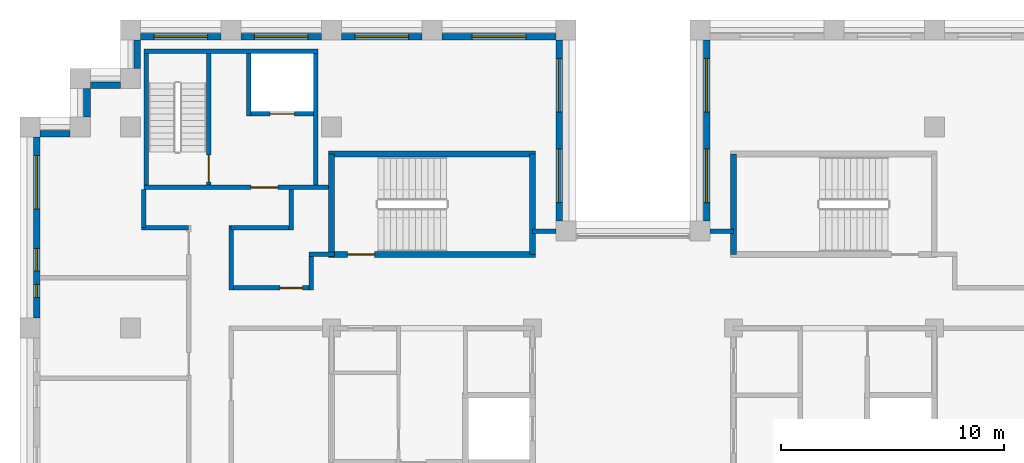
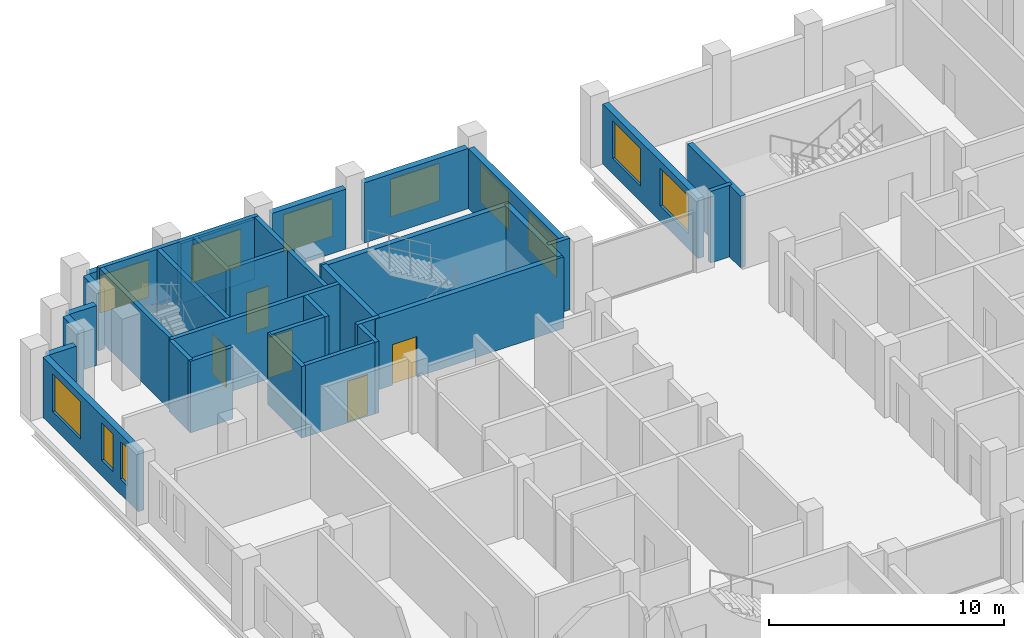
# One storey, part 10 of 13: 33 walls, 11 windows, 5 doors, 16 openings.
"""IFC4 building model written with IfcOpenShell, lengths in metres."""

from ifc_helpers import new_model, si_unit, direction, frame, frame_2d, origin, place, context, subcontext, project, spatial, rectangle, extrude, material, layer, layer_set, type_object, element, fill, save


model = new_model("IFC4")

# Units and contexts
model_context = context("Model", 3, precision=1e-05, world=origin(), true_north=direction((0.0, 1.0)))
body_context = subcontext(model_context, "Body", "Model", "MODEL_VIEW")
ifc_project = project(units=[si_unit("LENGTHUNIT", "METRE"), si_unit("AREAUNIT", "SQUARE_METRE"), si_unit("VOLUMEUNIT", "CUBIC_METRE"), si_unit("PLANEANGLEUNIT", "RADIAN"), si_unit("MASSUNIT", "GRAM", prefix="KILO")], contexts=[model_context])

# Site, building, storey
site_placement = place(None, origin())
site = spatial("IfcSite", under=ifc_project, at=site_placement, CompositionType="ELEMENT")
building_placement = place(site_placement, origin())
building = spatial("IfcBuilding", under=site, at=building_placement, Name="Corbelhall Arena Tower", CompositionType="ELEMENT")
storey_placement = place(building_placement, frame((0.0, 0.0, 266.0)))
storey = spatial("IfcBuildingStorey", under=building, at=storey_placement, Name="L57", CompositionType="ELEMENT", Elevation=266.0)

# Walls
ifc_material_1 = material(Name="Precast concrete C40/50 with granite facing", Category="masonry")
ifc_layer_1 = layer(ifc_material_1, 0.300048828125)
ifc_layer_set_1 = layer_set([ifc_layer_1], Name="EV-IW1 Infill panel 300")
wall_type_1 = type_object("IfcWallType", Name="EV-IW1 Infill panel 300", PredefinedType="SOLIDWALL", material=ifc_layer_set_1)
wall_1_placement = place(storey_placement, frame((-24.449951171875, 19.72509765625, 0.0), z_axis=(0.0, 0.0, 1.0), x_axis=(0.0, -1.0, 0.0)))
element("IfcWall", 1, at=wall_1_placement, inside=storey, type_object=wall_type_1, Name="Infill panel IW1", PredefinedType="SOLIDWALL", context=body_context, shape_type="SweptSolid", body=[
    extrude(rectangle(XDim=1.275146484375, YDim=0.300048828125, at=frame_2d((0.6376953125, 0.0))), origin(), (0.0, 0.0, 1.0), 3.1201171875),
])
wall_2_placement = place(storey_placement, frame((-25.199951171875, 17.699951171875, 0.0), z_axis=(0.0, 0.0, 1.0), x_axis=(-1.0, 0.0, 0.0)))
element("IfcWall", 2, at=wall_2_placement, inside=storey, type_object=wall_type_1, Name="Infill panel IW1", PredefinedType="SOLIDWALL", context=body_context, shape_type="SweptSolid", body=[
    extrude(rectangle(XDim=1.35009765625, YDim=0.300048828125, at=frame_2d((0.675048828125, 0.0))), origin(), (0.0, 0.0, 1.0), 3.1201171875),
])

# Wall, openings, windows
wall_3_placement = place(storey_placement, frame((-26.699951171875, 17.550048828125, 0.0), z_axis=(0.0, 0.0, 1.0), x_axis=(0.0, -1.0, 0.0)))
wall_3 = element("IfcWall", 3, at=wall_3_placement, inside=storey, type_object=wall_type_1, Name="Infill panel IW1", PredefinedType="SOLIDWALL", context=body_context, shape_type="SweptSolid", body=[
    extrude(rectangle(XDim=8.10009765625, YDim=0.300048828125, at=frame_2d((4.050048828125, 0.0))), origin(), (0.0, 0.0, 1.0), 3.1201171875),
])
opening_1_placement = place(wall_3_placement, frame((0.824951171875, 0.0, 0.800048828125)))
opening_1 = element("IfcOpeningElement", 4, at=opening_1_placement, cuts=wall_3, Name="Opening WN1", PredefinedType="OPENING", context=body_context, shape_type="SweptSolid", body=[
    extrude(rectangle(XDim=2.39990234375, YDim=1.949951171875, at=frame_2d((1.199951171875, 0.97509765625))), frame((0.0, 0.14990234375, 0.0), z_axis=(0.0, -1.0, 0.0), x_axis=(1.0, 0.0, 0.0)), (0.0, 0.0, 1.0), 0.300048828125),
])
opening_2_placement = place(wall_3_placement, frame((4.987548828125, 0.0, 0.800048828125)))
opening_2 = element("IfcOpeningElement", 5, at=opening_2_placement, cuts=wall_3, Name="Opening WN6", PredefinedType="OPENING", context=body_context, shape_type="SweptSolid", body=[
    extrude(rectangle(XDim=1.0, YDim=1.949951171875, at=frame_2d((0.5, 0.97509765625))), frame((0.0, 0.14990234375, 0.0), z_axis=(0.0, -1.0, 0.0), x_axis=(1.0, 0.0, 0.0)), (0.0, 0.0, 1.0), 0.300048828125),
])
opening_3_placement = place(wall_3_placement, frame((6.58740234375, 0.0, 0.800048828125)))
opening_3 = element("IfcOpeningElement", 6, at=opening_3_placement, cuts=wall_3, Name="Opening WN5", PredefinedType="OPENING", context=body_context, shape_type="SweptSolid", body=[
    extrude(rectangle(XDim=0.60009765625, YDim=1.949951171875, at=frame_2d((0.300048828125, 0.97509765625))), frame((0.0, 0.14990234375, 0.0), z_axis=(0.0, -1.0, 0.0), x_axis=(1.0, 0.0, 0.0)), (0.0, 0.0, 1.0), 0.300048828125),
])
ifc_material_2 = material(Name="Aluminium black anodised", Category="aluminium")
window_type_1 = type_object("IfcWindowType", Name="EV-WN1 Office window", PartitioningType="SINGLE_PANEL", PredefinedType="WINDOW", material=ifc_material_2)
window_1_placement = place(opening_1_placement, origin())
window_1 = element("IfcWindow", 7, at=window_1_placement, inside=storey, type_object=window_type_1, Name="Window WN1", OverallHeight=1.949951171875, OverallWidth=2.39990234375, PartitioningType="SINGLE_PANEL", PredefinedType="WINDOW", context=body_context, shape_type="SweptSolid", body=[
    extrude(rectangle(XDim=2.39990234375, YDim=1.949951171875, at=frame_2d((1.199951171875, 0.97509765625))), frame((0.0, 0.030029296875, 0.0), z_axis=(0.0, -1.0, 0.0), x_axis=(1.0, 0.0, 0.0)), (0.0, 0.0, 1.0), 0.06005859375),
])
fill(opening_1, window_1)
window_type_2 = type_object("IfcWindowType", Name="EV-WN5 Office window 600", PartitioningType="SINGLE_PANEL", PredefinedType="WINDOW", material=ifc_material_2)
window_2_placement = place(opening_3_placement, origin())
window_2 = element("IfcWindow", 8, at=window_2_placement, inside=storey, type_object=window_type_2, Name="Window WN5", OverallHeight=1.949951171875, OverallWidth=0.60009765625, PartitioningType="SINGLE_PANEL", PredefinedType="WINDOW", context=body_context, shape_type="SweptSolid", body=[
    extrude(rectangle(XDim=0.60009765625, YDim=1.949951171875, at=frame_2d((0.300048828125, 0.97509765625))), frame((0.0, 0.030029296875, 0.0), z_axis=(0.0, -1.0, 0.0), x_axis=(1.0, 0.0, 0.0)), (0.0, 0.0, 1.0), 0.06005859375),
])
fill(opening_3, window_2)
window_type_3 = type_object("IfcWindowType", Name="EV-WN6 Office window 1000", PartitioningType="SINGLE_PANEL", PredefinedType="WINDOW", material=ifc_material_2)
window_3_placement = place(opening_2_placement, origin())
window_3 = element("IfcWindow", 9, at=window_3_placement, inside=storey, type_object=window_type_3, Name="Window WN6", OverallHeight=1.949951171875, OverallWidth=1.0, PartitioningType="SINGLE_PANEL", PredefinedType="WINDOW", context=body_context, shape_type="SweptSolid", body=[
    extrude(rectangle(XDim=1.0, YDim=1.949951171875, at=frame_2d((0.5, 0.97509765625))), frame((0.0, 0.030029296875, 0.0), z_axis=(0.0, -1.0, 0.0), x_axis=(1.0, 0.0, 0.0)), (0.0, 0.0, 1.0), 0.06005859375),
])
fill(opening_2, window_3)

wall_4_placement = place(storey_placement, frame((3.300048828125, 21.89990234375, 0.0), z_axis=(0.0, 0.0, 1.0), x_axis=(0.0, -1.0, 0.0)))
wall_4 = element("IfcWall", 10, at=wall_4_placement, inside=storey, type_object=wall_type_1, Name="Infill panel IW1", PredefinedType="SOLIDWALL", context=body_context, shape_type="SweptSolid", body=[
    extrude(rectangle(XDim=8.099853515625, YDim=0.300048828125, at=frame_2d((4.0498046875, 0.0))), origin(), (0.0, 0.0, 1.0), 3.1201171875),
])
opening_4_placement = place(wall_4_placement, frame((0.824951171875, 0.0, 0.800048828125)))
opening_4 = element("IfcOpeningElement", 11, at=opening_4_placement, cuts=wall_4, Name="Opening WN1", PredefinedType="OPENING", context=body_context, shape_type="SweptSolid", body=[
    extrude(rectangle(XDim=2.39990234375, YDim=1.949951171875, at=frame_2d((1.199951171875, 0.97509765625))), frame((0.0, 0.14990234375, 0.0), z_axis=(0.0, -1.0, 0.0), x_axis=(1.0, 0.0, 0.0)), (0.0, 0.0, 1.0), 0.300048828125),
])
opening_5_placement = place(wall_4_placement, frame((4.875, 0.0, 0.800048828125)))
opening_5 = element("IfcOpeningElement", 12, at=opening_5_placement, cuts=wall_4, Name="Opening WN1", PredefinedType="OPENING", context=body_context, shape_type="SweptSolid", body=[
    extrude(rectangle(XDim=2.39990234375, YDim=1.949951171875, at=frame_2d((1.199951171875, 0.97509765625))), frame((0.0, 0.14990234375, 0.0), z_axis=(0.0, -1.0, 0.0), x_axis=(1.0, 0.0, 0.0)), (0.0, 0.0, 1.0), 0.300048828125),
])
window_4_placement = place(opening_4_placement, origin())
window_4 = element("IfcWindow", 13, at=window_4_placement, inside=storey, type_object=window_type_1, Name="Window WN1", OverallHeight=1.949951171875, OverallWidth=2.39990234375, PartitioningType="SINGLE_PANEL", PredefinedType="WINDOW", context=body_context, shape_type="SweptSolid", body=[
    extrude(rectangle(XDim=2.39990234375, YDim=1.949951171875, at=frame_2d((1.199951171875, 0.97509765625))), frame((0.0, 0.030029296875, 0.0), z_axis=(0.0, -1.0, 0.0), x_axis=(1.0, 0.0, 0.0)), (0.0, 0.0, 1.0), 0.06005859375),
])
fill(opening_4, window_4)
window_5_placement = place(opening_5_placement, origin())
window_5 = element("IfcWindow", 14, at=window_5_placement, inside=storey, type_object=window_type_1, Name="Window WN1", OverallHeight=1.949951171875, OverallWidth=2.39990234375, PartitioningType="SINGLE_PANEL", PredefinedType="WINDOW", context=body_context, shape_type="SweptSolid", body=[
    extrude(rectangle(XDim=2.39990234375, YDim=1.949951171875, at=frame_2d((1.199951171875, 0.97509765625))), frame((0.0, 0.030029296875, 0.0), z_axis=(0.0, -1.0, 0.0), x_axis=(1.0, 0.0, 0.0)), (0.0, 0.0, 1.0), 0.06005859375),
])
fill(opening_5, window_5)

wall_5_placement = place(storey_placement, frame((-3.300048828125, 13.800048828125, 0.0), z_axis=(0.0, 0.0, 1.0), x_axis=(0.0, 1.0, 0.0)))
wall_5 = element("IfcWall", 15, at=wall_5_placement, inside=storey, type_object=wall_type_1, Name="Infill panel IW1", PredefinedType="SOLIDWALL", context=body_context, shape_type="SweptSolid", body=[
    extrude(rectangle(XDim=8.099853515625, YDim=0.300048828125, at=frame_2d((4.0498046875, 0.0))), origin(), (0.0, 0.0, 1.0), 3.1201171875),
])
opening_6_placement = place(wall_5_placement, frame((0.824951171875, 0.0, 0.800048828125)))
opening_6 = element("IfcOpeningElement", 16, at=opening_6_placement, cuts=wall_5, Name="Opening WN1", PredefinedType="OPENING", context=body_context, shape_type="SweptSolid", body=[
    extrude(rectangle(XDim=2.39990234375, YDim=1.949951171875, at=frame_2d((1.199951171875, 0.97509765625))), frame((0.0, 0.14990234375, 0.0), z_axis=(0.0, -1.0, 0.0), x_axis=(1.0, 0.0, 0.0)), (0.0, 0.0, 1.0), 0.300048828125),
])
opening_7_placement = place(wall_5_placement, frame((4.875, 0.0, 0.800048828125)))
opening_7 = element("IfcOpeningElement", 17, at=opening_7_placement, cuts=wall_5, Name="Opening WN1", PredefinedType="OPENING", context=body_context, shape_type="SweptSolid", body=[
    extrude(rectangle(XDim=2.39990234375, YDim=1.949951171875, at=frame_2d((1.199951171875, 0.97509765625))), frame((0.0, 0.14990234375, 0.0), z_axis=(0.0, -1.0, 0.0), x_axis=(1.0, 0.0, 0.0)), (0.0, 0.0, 1.0), 0.300048828125),
])
window_6_placement = place(opening_6_placement, origin())
window_6 = element("IfcWindow", 18, at=window_6_placement, inside=storey, type_object=window_type_1, Name="Window WN1", OverallHeight=1.949951171875, OverallWidth=2.39990234375, PartitioningType="SINGLE_PANEL", PredefinedType="WINDOW", context=body_context, shape_type="SweptSolid", body=[
    extrude(rectangle(XDim=2.39990234375, YDim=1.949951171875, at=frame_2d((1.199951171875, 0.97509765625))), frame((0.0, 0.030029296875, 0.0), z_axis=(0.0, -1.0, 0.0), x_axis=(1.0, 0.0, 0.0)), (0.0, 0.0, 1.0), 0.06005859375),
])
fill(opening_6, window_6)
window_7_placement = place(opening_7_placement, origin())
window_7 = element("IfcWindow", 19, at=window_7_placement, inside=storey, type_object=window_type_1, Name="Window WN1", OverallHeight=1.949951171875, OverallWidth=2.39990234375, PartitioningType="SINGLE_PANEL", PredefinedType="WINDOW", context=body_context, shape_type="SweptSolid", body=[
    extrude(rectangle(XDim=2.39990234375, YDim=1.949951171875, at=frame_2d((1.199951171875, 0.97509765625))), frame((0.0, 0.030029296875, 0.0), z_axis=(0.0, -1.0, 0.0), x_axis=(1.0, 0.0, 0.0)), (0.0, 0.0, 1.0), 0.06005859375),
])
fill(opening_7, window_7)

# Wall, opening, window
wall_6_placement = place(storey_placement, frame((-3.449951171875, 22.050048828125, 0.0), z_axis=(0.0, 0.0, 1.0), x_axis=(-1.0, 0.0, 0.0)))
wall_6 = element("IfcWall", 20, at=wall_6_placement, inside=storey, type_object=wall_type_1, Name="Infill panel IW1", PredefinedType="SOLIDWALL", context=body_context, shape_type="SweptSolid", body=[
    extrude(rectangle(XDim=5.10009765625, YDim=0.300048828125, at=frame_2d((2.550048828125, 0.0))), origin(), (0.0, 0.0, 1.0), 3.1201171875),
])
opening_8_placement = place(wall_6_placement, frame((1.35009765625, 0.0, 0.800048828125)))
opening_8 = element("IfcOpeningElement", 21, at=opening_8_placement, cuts=wall_6, Name="Opening WN1", PredefinedType="OPENING", context=body_context, shape_type="SweptSolid", body=[
    extrude(rectangle(XDim=2.39990234375, YDim=1.949951171875, at=frame_2d((1.199951171875, 0.97509765625))), frame((0.0, 0.14990234375, 0.0), z_axis=(0.0, -1.0, 0.0), x_axis=(1.0, 0.0, 0.0)), (0.0, 0.0, 1.0), 0.300048828125),
])
window_8_placement = place(opening_8_placement, origin())
window_8 = element("IfcWindow", 22, at=window_8_placement, inside=storey, type_object=window_type_1, Name="Window WN1", OverallHeight=1.949951171875, OverallWidth=2.39990234375, PartitioningType="SINGLE_PANEL", PredefinedType="WINDOW", context=body_context, shape_type="SweptSolid", body=[
    extrude(rectangle(XDim=2.39990234375, YDim=1.949951171875, at=frame_2d((1.199951171875, 0.97509765625))), frame((0.0, 0.030029296875, 0.0), z_axis=(0.0, -1.0, 0.0), x_axis=(1.0, 0.0, 0.0)), (0.0, 0.0, 1.0), 0.06005859375),
])
fill(opening_8, window_8)

wall_7_placement = place(storey_placement, frame((-9.449951171875, 22.050048828125, 0.0), z_axis=(0.0, 0.0, 1.0), x_axis=(-1.0, 0.0, 0.0)))
wall_7 = element("IfcWall", 23, at=wall_7_placement, inside=storey, type_object=wall_type_1, Name="Infill panel IW1", PredefinedType="SOLIDWALL", context=body_context, shape_type="SweptSolid", body=[
    extrude(rectangle(XDim=3.60009765625, YDim=0.300048828125, at=frame_2d((1.800048828125, 0.0))), origin(), (0.0, 0.0, 1.0), 3.1201171875),
])
opening_9_placement = place(wall_7_placement, frame((0.60009765625, 0.0, 0.800048828125)))
opening_9 = element("IfcOpeningElement", 24, at=opening_9_placement, cuts=wall_7, Name="Opening WN1", PredefinedType="OPENING", context=body_context, shape_type="SweptSolid", body=[
    extrude(rectangle(XDim=2.39990234375, YDim=1.949951171875, at=frame_2d((1.199951171875, 0.97509765625))), frame((0.0, 0.14990234375, 0.0), z_axis=(0.0, -1.0, 0.0), x_axis=(1.0, 0.0, 0.0)), (0.0, 0.0, 1.0), 0.300048828125),
])
window_9_placement = place(opening_9_placement, origin())
window_9 = element("IfcWindow", 25, at=window_9_placement, inside=storey, type_object=window_type_1, Name="Window WN1", OverallHeight=1.949951171875, OverallWidth=2.39990234375, PartitioningType="SINGLE_PANEL", PredefinedType="WINDOW", context=body_context, shape_type="SweptSolid", body=[
    extrude(rectangle(XDim=2.39990234375, YDim=1.949951171875, at=frame_2d((1.199951171875, 0.97509765625))), frame((0.0, 0.030029296875, 0.0), z_axis=(0.0, -1.0, 0.0), x_axis=(1.0, 0.0, 0.0)), (0.0, 0.0, 1.0), 0.06005859375),
])
fill(opening_9, window_9)

wall_8_placement = place(storey_placement, frame((-13.949951171875, 22.050048828125, 0.0), z_axis=(0.0, 0.0, 1.0), x_axis=(-1.0, 0.0, 0.0)))
wall_8 = element("IfcWall", 26, at=wall_8_placement, inside=storey, type_object=wall_type_1, Name="Infill panel IW1", PredefinedType="SOLIDWALL", context=body_context, shape_type="SweptSolid", body=[
    extrude(rectangle(XDim=3.60009765625, YDim=0.300048828125, at=frame_2d((1.800048828125, 0.0))), origin(), (0.0, 0.0, 1.0), 3.1201171875),
])
opening_10_placement = place(wall_8_placement, frame((0.60009765625, 0.0, 0.800048828125)))
opening_10 = element("IfcOpeningElement", 27, at=opening_10_placement, cuts=wall_8, Name="Opening WN1", PredefinedType="OPENING", context=body_context, shape_type="SweptSolid", body=[
    extrude(rectangle(XDim=2.39990234375, YDim=1.949951171875, at=frame_2d((1.199951171875, 0.97509765625))), frame((0.0, 0.14990234375, 0.0), z_axis=(0.0, -1.0, 0.0), x_axis=(1.0, 0.0, 0.0)), (0.0, 0.0, 1.0), 0.300048828125),
])
window_10_placement = place(opening_10_placement, origin())
window_10 = element("IfcWindow", 28, at=window_10_placement, inside=storey, type_object=window_type_1, Name="Window WN1", OverallHeight=1.949951171875, OverallWidth=2.39990234375, PartitioningType="SINGLE_PANEL", PredefinedType="WINDOW", context=body_context, shape_type="SweptSolid", body=[
    extrude(rectangle(XDim=2.39990234375, YDim=1.949951171875, at=frame_2d((1.199951171875, 0.97509765625))), frame((0.0, 0.030029296875, 0.0), z_axis=(0.0, -1.0, 0.0), x_axis=(1.0, 0.0, 0.0)), (0.0, 0.0, 1.0), 0.06005859375),
])
fill(opening_10, window_10)

wall_9_placement = place(storey_placement, frame((-18.449951171875, 22.050048828125, 0.0), z_axis=(0.0, 0.0, 1.0), x_axis=(-1.0, 0.0, 0.0)))
wall_9 = element("IfcWall", 29, at=wall_9_placement, inside=storey, type_object=wall_type_1, Name="Infill panel IW1", PredefinedType="SOLIDWALL", context=body_context, shape_type="SweptSolid", body=[
    extrude(rectangle(XDim=3.60009765625, YDim=0.300048828125, at=frame_2d((1.800048828125, 0.0))), origin(), (0.0, 0.0, 1.0), 3.1201171875),
])
opening_11_placement = place(wall_9_placement, frame((0.60009765625, 0.0, 0.800048828125)))
opening_11 = element("IfcOpeningElement", 30, at=opening_11_placement, cuts=wall_9, Name="Opening WN1", PredefinedType="OPENING", context=body_context, shape_type="SweptSolid", body=[
    extrude(rectangle(XDim=2.39990234375, YDim=1.949951171875, at=frame_2d((1.199951171875, 0.97509765625))), frame((0.0, 0.14990234375, 0.0), z_axis=(0.0, -1.0, 0.0), x_axis=(1.0, 0.0, 0.0)), (0.0, 0.0, 1.0), 0.300048828125),
])
window_11_placement = place(opening_11_placement, origin())
window_11 = element("IfcWindow", 31, at=window_11_placement, inside=storey, type_object=window_type_1, Name="Window WN1", OverallHeight=1.949951171875, OverallWidth=2.39990234375, PartitioningType="SINGLE_PANEL", PredefinedType="WINDOW", context=body_context, shape_type="SweptSolid", body=[
    extrude(rectangle(XDim=2.39990234375, YDim=1.949951171875, at=frame_2d((1.199951171875, 0.97509765625))), frame((0.0, 0.030029296875, 0.0), z_axis=(0.0, -1.0, 0.0), x_axis=(1.0, 0.0, 0.0)), (0.0, 0.0, 1.0), 0.06005859375),
])
fill(opening_11, window_11)

# Walls
wall_10_placement = place(storey_placement, frame((-22.199951171875, 21.89990234375, 0.0), z_axis=(0.0, 0.0, 1.0), x_axis=(0.0, -1.0, 0.0)))
element("IfcWall", 32, at=wall_10_placement, inside=storey, type_object=wall_type_1, Name="Infill panel IW1", PredefinedType="SOLIDWALL", context=body_context, shape_type="SweptSolid", body=[
    extrude(rectangle(XDim=1.27490234375, YDim=0.300048828125, at=frame_2d((0.637451171875, 0.0))), origin(), (0.0, 0.0, 1.0), 3.1201171875),
])
wall_11_placement = place(storey_placement, frame((-22.949951171875, 19.875, 0.0), z_axis=(0.0, 0.0, 1.0), x_axis=(-1.0, 0.0, 0.0)))
element("IfcWall", 33, at=wall_11_placement, inside=storey, type_object=wall_type_1, Name="Infill panel IW1", PredefinedType="SOLIDWALL", context=body_context, shape_type="SweptSolid", body=[
    extrude(rectangle(XDim=1.35009765625, YDim=0.300048828125, at=frame_2d((0.675048828125, 0.0))), origin(), (0.0, 0.0, 1.0), 3.1201171875),
])
ifc_material_3 = material(Name="Gypsum board on steel stud, acoustic", Category="steel")
ifc_layer_2 = layer(ifc_material_3, 0.199951171875)
ifc_layer_set_2 = layer_set([ifc_layer_2], Name="IN-W-DM200")
wall_type_2 = type_object("IfcWallType", Name="IN-W-DM200", PredefinedType="PARTITIONING", material=ifc_layer_set_2)
wall_12_placement = place(storey_placement, frame((-21.89990234375, 13.5, 0.0), z_axis=(0.0, 0.0, 1.0), x_axis=(0.0, 1.0, 0.0)))
element("IfcWall", 34, at=wall_12_placement, inside=storey, type_object=wall_type_2, Name="Partition 006", PredefinedType="PARTITIONING", context=body_context, shape_type="SweptSolid", body=[
    extrude(rectangle(XDim=1.699951171875, YDim=0.199951171875, at=frame_2d((0.85009765625, 0.0))), origin(), (0.0, 0.0, 1.0), 3.719970703125),
])
wall_13_placement = place(storey_placement, frame((-19.89990234375, 13.5, 0.0), z_axis=(0.0, 0.0, 1.0), x_axis=(-1.0, 0.0, 0.0)))
element("IfcWall", 35, at=wall_13_placement, inside=storey, type_object=wall_type_2, Name="Partition 008", PredefinedType="PARTITIONING", context=body_context, shape_type="SweptSolid", body=[
    extrude(rectangle(XDim=2.10009765625, YDim=0.199951171875, at=frame_2d((1.050048828125, 0.0))), origin(), (0.0, 0.0, 1.0), 3.719970703125),
])

# Wall, opening, door
wall_14_placement = place(storey_placement, frame((-18.0, 10.800048828125, 0.0), z_axis=(0.0, 0.0, 1.0), x_axis=(1.0, 0.0, 0.0)))
wall_14 = element("IfcWall", 36, at=wall_14_placement, inside=storey, type_object=wall_type_2, Name="Partition 013", PredefinedType="PARTITIONING", context=body_context, shape_type="SweptSolid", body=[
    extrude(rectangle(XDim=3.60009765625, YDim=0.199951171875, at=frame_2d((1.800048828125, 0.0))), origin(), (0.0, 0.0, 1.0), 3.719970703125),
])
opening_12_placement = place(wall_14_placement, frame((2.199951171875, 0.0, 0.0)))
opening_12 = element("IfcOpeningElement", 37, at=opening_12_placement, cuts=wall_14, Name="Opening 18026", PredefinedType="OPENING", context=body_context, shape_type="SweptSolid", body=[
    extrude(rectangle(XDim=1.0, YDim=2.10009765625, at=frame_2d((0.5, 1.050048828125))), frame((0.0, 0.10009765625, 0.0), z_axis=(0.0, -1.0, 0.0), x_axis=(1.0, 0.0, 0.0)), (0.0, 0.0, 1.0), 0.199951171875),
])
ifc_material_4 = material(Name="Steel door set", Category="steel")
door_type_1 = type_object("IfcDoorType", Name="IN-D-SW100", OperationType="NOTDEFINED", PredefinedType="DOOR", material=ifc_material_4)
door_1_placement = place(opening_12_placement, origin())
door_1 = element("IfcDoor", 38, at=door_1_placement, inside=storey, type_object=door_type_1, Name="Door 026", OperationType="SINGLE_SWING_LEFT", OverallHeight=2.10009765625, OverallWidth=1.0, PredefinedType="DOOR", context=body_context, shape_type="SweptSolid", body=[
    extrude(rectangle(XDim=1.0, YDim=2.10009765625, at=frame_2d((0.5, 1.050048828125))), frame((0.0, 0.02490234375, 0.0), z_axis=(0.0, -1.0, 0.0), x_axis=(1.0, 0.0, 0.0)), (0.0, 0.0, 1.0), 0.050048828125),
])
fill(opening_12, door_1)

# Walls
wall_15_placement = place(storey_placement, frame((-18.0, 13.60009765625, 0.0), z_axis=(0.0, 0.0, 1.0), x_axis=(0.0, -1.0, 0.0)))
element("IfcWall", 39, at=wall_15_placement, inside=storey, type_object=wall_type_2, Name="Partition 014", PredefinedType="PARTITIONING", context=body_context, shape_type="SweptSolid", body=[
    extrude(rectangle(XDim=2.900146484375, YDim=0.199951171875, at=frame_2d((1.4501953125, 0.0))), origin(), (0.0, 0.0, 1.0), 3.719970703125),
])
wall_16_placement = place(storey_placement, frame((-15.300048828125, 13.5, 0.0), z_axis=(0.0, 0.0, 1.0), x_axis=(-1.0, 0.0, 0.0)))
element("IfcWall", 40, at=wall_16_placement, inside=storey, type_object=wall_type_2, Name="Partition 015", PredefinedType="PARTITIONING", context=body_context, shape_type="SweptSolid", body=[
    extrude(rectangle(XDim=2.699951171875, YDim=0.199951171875, at=frame_2d((1.35009765625, 0.0))), origin(), (0.0, 0.0, 1.0), 3.719970703125),
])
wall_17_placement = place(storey_placement, frame((-15.300048828125, 15.199951171875, 0.0), z_axis=(0.0, 0.0, 1.0), x_axis=(0.0, -1.0, 0.0)))
element("IfcWall", 41, at=wall_17_placement, inside=storey, type_object=wall_type_2, Name="Partition 016", PredefinedType="PARTITIONING", context=body_context, shape_type="SweptSolid", body=[
    extrude(rectangle(XDim=1.800048828125, YDim=0.199951171875, at=frame_2d((0.89990234375, 0.0))), origin(), (0.0, 0.0, 1.0), 3.719970703125),
])
wall_18_placement = place(storey_placement, frame((-14.5, 12.300048828125, 0.0), z_axis=(0.0, 0.0, 1.0), x_axis=(1.0, 0.0, 0.0)))
element("IfcWall", 42, at=wall_18_placement, inside=storey, type_object=wall_type_2, Name="Partition 017", PredefinedType="PARTITIONING", context=body_context, shape_type="SweptSolid", body=[
    extrude(rectangle(XDim=1.125, YDim=0.199951171875, at=frame_2d((0.5625, 0.0))), origin(), (0.0, 0.0, 1.0), 3.719970703125),
])
wall_19_placement = place(storey_placement, frame((-14.39990234375, 10.699951171875, 0.0), z_axis=(0.0, 0.0, 1.0), x_axis=(0.0, 1.0, 0.0)))
element("IfcWall", 43, at=wall_19_placement, inside=storey, type_object=wall_type_2, Name="Partition 021", PredefinedType="PARTITIONING", context=body_context, shape_type="SweptSolid", body=[
    extrude(rectangle(XDim=1.60009765625, YDim=0.199951171875, at=frame_2d((0.800048828125, 0.0))), origin(), (0.0, 0.0, 1.0), 3.719970703125),
])
for number, where, z_axis, x_axis, name in (
    (44, (-4.5, 13.35009765625, 0.0), (0.0, 0.0, 1.0), (1.0, 0.0, 0.0), "Partition 023"),
    (45, (3.449951171875, 13.35009765625, 0.0), (0.0, 0.0, 1.0), (1.0, 0.0, 0.0), "Partition 025"),
):
    element("IfcWall", number, at=place(storey_placement, frame(where, z_axis=z_axis, x_axis=x_axis)), inside=storey, type_object=wall_type_2, Name=name, PredefinedType="PARTITIONING", context=body_context, shape_type="SweptSolid", body=[
        extrude(rectangle(XDim=1.050048828125, YDim=0.199951171875, at=frame_2d((0.52490234375, 0.0))), origin(), (0.0, 0.0, 1.0), 3.719970703125),
    ])

# Wall, opening, door
ifc_material_5 = material(Name="Concrete C40/50", Category="concrete")
ifc_layer_3 = layer(ifc_material_5, 0.199951171875)
ifc_layer_set_3 = layer_set([ifc_layer_3], Name="IN-W-EAR200")
wall_type_3 = type_object("IfcWallType", Name="IN-W-EAR200", PredefinedType="SOLIDWALL", material=ifc_layer_set_3)
wall_20_placement = place(storey_placement, frame((-21.89990234375, 15.300048828125, 0.0), z_axis=(0.0, 0.0, 1.0), x_axis=(1.0, 0.0, 0.0)))
wall_20 = element("IfcWall", 46, at=wall_20_placement, inside=storey, type_object=wall_type_3, Name="Fire service turret wall south", PredefinedType="SOLIDWALL", context=body_context, shape_type="SweptSolid", body=[
    extrude(rectangle(XDim=8.27490234375, YDim=0.199951171875, at=frame_2d((4.137451171875, 0.0))), origin(), (0.0, 0.0, 1.0), 3.719970703125),
])
opening_13_placement = place(wall_20_placement, frame((4.800048828125, 0.0, 0.0)))
opening_13 = element("IfcOpeningElement", 47, at=opening_13_placement, cuts=wall_20, Name="Opening E182", PredefinedType="OPENING", context=body_context, shape_type="SweptSolid", body=[
    extrude(rectangle(XDim=1.199951171875, YDim=2.10009765625, at=frame_2d((0.60009765625, 1.050048828125))), frame((0.0, 0.10009765625, 0.0), z_axis=(0.0, -1.0, 0.0), x_axis=(1.0, 0.0, 0.0)), (0.0, 0.0, 1.0), 0.199951171875),
])
door_type_2 = type_object("IfcDoorType", Name="IN-D-ST120", OperationType="NOTDEFINED", PredefinedType="DOOR", material=ifc_material_4)
door_2_placement = place(opening_13_placement, origin())
door_2 = element("IfcDoor", 48, at=door_2_placement, inside=storey, type_object=door_type_2, Name="Door from fire service lift lobby to circulation", OperationType="SINGLE_SWING_RIGHT", OverallHeight=2.10009765625, OverallWidth=1.199951171875, PredefinedType="DOOR", context=body_context, shape_type="SweptSolid", body=[
    extrude(rectangle(XDim=1.199951171875, YDim=2.10009765625, at=frame_2d((0.60009765625, 1.050048828125))), frame((0.0, 0.02490234375, 0.0), z_axis=(0.0, -1.0, 0.0), x_axis=(1.0, 0.0, 0.0)), (0.0, 0.0, 1.0), 0.050048828125),
])
fill(opening_13, door_2)

# Walls
wall_21_placement = place(storey_placement, frame((-21.89990234375, 21.39990234375, 0.0), z_axis=(0.0, 0.0, 1.0), x_axis=(1.0, 0.0, 0.0)))
element("IfcWall", 49, at=wall_21_placement, inside=storey, type_object=wall_type_3, Name="Fire service turret wall north", PredefinedType="SOLIDWALL", context=body_context, shape_type="SweptSolid", body=[
    extrude(rectangle(XDim=7.7998046875, YDim=0.199951171875, at=frame_2d((3.89990234375, 0.0))), origin(), (0.0, 0.0, 1.0), 3.719970703125),
])
for number, where, z_axis, x_axis, name in (
    (50, (-21.800048828125, 15.39990234375, 0.0), (0.0, 0.0, 1.0), (0.0, 1.0, 0.0), "Fire service turret wall west"),
    (51, (-14.199951171875, 15.39990234375, 0.0), (0.0, 0.0, 1.0), (0.0, 1.0, 0.0), "Fire service turret wall east"),
):
    element("IfcWall", number, at=place(storey_placement, frame(where, z_axis=z_axis, x_axis=x_axis)), inside=storey, type_object=wall_type_3, Name=name, PredefinedType="SOLIDWALL", context=body_context, shape_type="SweptSolid", body=[
        extrude(rectangle(XDim=5.900146484375, YDim=0.199951171875, at=frame_2d((2.9501953125, 0.0))), origin(), (0.0, 0.0, 1.0), 3.719970703125),
    ])

# Wall, opening, door
wall_22_placement = place(storey_placement, frame((-18.989990234375, 15.39990234375, 0.0), z_axis=(0.0, 0.0, 1.0), x_axis=(0.0, 1.0, 0.0)))
wall_22 = element("IfcWall", 52, at=wall_22_placement, inside=storey, type_object=wall_type_3, Name="Fire service turret wall stair", PredefinedType="SOLIDWALL", context=body_context, shape_type="SweptSolid", body=[
    extrude(rectangle(XDim=5.900146484375, YDim=0.199951171875, at=frame_2d((2.9501953125, 0.0))), origin(), (0.0, 0.0, 1.0), 3.719970703125),
])
opening_14_placement = place(wall_22_placement, frame((0.14990234375, 0.0, 0.0)))
opening_14 = element("IfcOpeningElement", 53, at=opening_14_placement, cuts=wall_22, Name="Opening E181", PredefinedType="OPENING", context=body_context, shape_type="SweptSolid", body=[
    extrude(rectangle(XDim=1.199951171875, YDim=2.10009765625, at=frame_2d((0.60009765625, 1.050048828125))), frame((0.0, 0.10009765625, 0.0), z_axis=(0.0, -1.0, 0.0), x_axis=(1.0, 0.0, 0.0)), (0.0, 0.0, 1.0), 0.199951171875),
])
door_3_placement = place(opening_14_placement, origin())
door_3 = element("IfcDoor", 54, at=door_3_placement, inside=storey, type_object=door_type_2, Name="Stair door to fire service lobby", OperationType="SINGLE_SWING_LEFT", OverallHeight=2.10009765625, OverallWidth=1.199951171875, PredefinedType="DOOR", context=body_context, shape_type="SweptSolid", body=[
    extrude(rectangle(XDim=1.199951171875, YDim=2.10009765625, at=frame_2d((0.60009765625, 1.050048828125))), frame((0.0, 0.02490234375, 0.0), z_axis=(0.0, -1.0, 0.0), x_axis=(1.0, 0.0, 0.0)), (0.0, 0.0, 1.0), 0.050048828125),
])
fill(opening_14, door_3)

# Wall
wall_23_placement = place(storey_placement, frame((-17.199951171875, 18.5, 0.0), z_axis=(0.0, 0.0, 1.0), x_axis=(0.0, 1.0, 0.0)))
element("IfcWall", 55, at=wall_23_placement, inside=storey, type_object=wall_type_3, Name="Fire service turret wall hoistway west", PredefinedType="SOLIDWALL", context=body_context, shape_type="SweptSolid", body=[
    extrude(rectangle(XDim=2.800048828125, YDim=0.199951171875, at=frame_2d((1.39990234375, 0.0))), origin(), (0.0, 0.0, 1.0), 3.719970703125),
])

# Wall, opening, door
wall_24_placement = place(storey_placement, frame((-17.10009765625, 18.60009765625, 0.0), z_axis=(0.0, 0.0, 1.0), x_axis=(1.0, 0.0, 0.0)))
wall_24 = element("IfcWall", 56, at=wall_24_placement, inside=storey, type_object=wall_type_3, Name="Fire service turret wall hoistway south", PredefinedType="SOLIDWALL", context=body_context, shape_type="SweptSolid", body=[
    extrude(rectangle(XDim=2.800048828125, YDim=0.199951171875, at=frame_2d((1.39990234375, 0.0))), origin(), (0.0, 0.0, 1.0), 3.719970703125),
])
opening_15_placement = place(wall_24_placement, frame((0.85009765625, 0.0, 0.0)))
opening_15 = element("IfcOpeningElement", 57, at=opening_15_placement, cuts=wall_24, Name="Opening LD", PredefinedType="OPENING", context=body_context, shape_type="SweptSolid", body=[
    extrude(rectangle(XDim=1.10009765625, YDim=2.10009765625, at=frame_2d((0.550048828125, 1.050048828125))), frame((0.0, 0.10009765625, 0.0), z_axis=(0.0, -1.0, 0.0), x_axis=(1.0, 0.0, 0.0)), (0.0, 0.0, 1.0), 0.199951171875),
])
door_type_3 = type_object("IfcDoorType", Name="IN-D-LD110", OperationType="NOTDEFINED", PredefinedType="DOOR", material=ifc_material_4)
door_4_placement = place(opening_15_placement, origin())
door_4 = element("IfcDoor", 58, at=door_4_placement, inside=storey, type_object=door_type_3, Name="Landing door FS1", OperationType="SLIDING_TO_LEFT", OverallHeight=2.10009765625, OverallWidth=1.10009765625, PredefinedType="DOOR", context=body_context, shape_type="SweptSolid", body=[
    extrude(rectangle(XDim=1.10009765625, YDim=2.10009765625, at=frame_2d((0.550048828125, 1.050048828125))), frame((0.0, 0.02490234375, 0.0), z_axis=(0.0, -1.0, 0.0), x_axis=(1.0, 0.0, 0.0)), (0.0, 0.0, 1.0), 0.050048828125),
])
fill(opening_15, door_4)

ifc_layer_4 = layer(ifc_material_5, 0.25)
ifc_layer_set_4 = layer_set([ifc_layer_4], Name="IN-W-ST250")
wall_type_4 = type_object("IfcWallType", Name="IN-W-ST250", PredefinedType="SOLIDWALL", material=ifc_layer_set_4)
wall_25_placement = place(storey_placement, frame((-13.625, 12.300048828125, 0.0), z_axis=(0.0, 0.0, 1.0), x_axis=(1.0, 0.0, 0.0)))
wall_25 = element("IfcWall", 59, at=wall_25_placement, inside=storey, type_object=wall_type_4, Name="Shaft wall 086", PredefinedType="SOLIDWALL", context=body_context, shape_type="SweptSolid", body=[
    extrude(rectangle(XDim=9.25, YDim=0.25, at=frame_2d((4.625, 0.0))), origin(), (0.0, 0.0, 1.0), 3.719970703125),
])
opening_16_placement = place(wall_25_placement, frame((0.85009765625, 0.0, 0.0)))
opening_16 = element("IfcOpeningElement", 60, at=opening_16_placement, cuts=wall_25, Name="Opening 18018", PredefinedType="OPENING", context=body_context, shape_type="SweptSolid", body=[
    extrude(rectangle(XDim=1.199951171875, YDim=2.10009765625, at=frame_2d((0.60009765625, 1.050048828125))), frame((0.0, 0.125, 0.0), z_axis=(0.0, -1.0, 0.0), x_axis=(1.0, 0.0, 0.0)), (0.0, 0.0, 1.0), 0.25),
])
door_5_placement = place(opening_16_placement, origin())
door_5 = element("IfcDoor", 61, at=door_5_placement, inside=storey, type_object=door_type_2, Name="Door 018", OperationType="SINGLE_SWING_LEFT", OverallHeight=2.10009765625, OverallWidth=1.199951171875, PredefinedType="DOOR", context=body_context, shape_type="SweptSolid", body=[
    extrude(rectangle(XDim=1.199951171875, YDim=2.10009765625, at=frame_2d((0.60009765625, 1.050048828125))), frame((0.0, 0.02490234375, 0.0), z_axis=(0.0, -1.0, 0.0), x_axis=(1.0, 0.0, 0.0)), (0.0, 0.0, 1.0), 0.050048828125),
])
fill(opening_16, door_5)

# Walls
wall_26_placement = place(storey_placement, frame((-13.625, 16.800048828125, 0.0), z_axis=(0.0, 0.0, 1.0), x_axis=(1.0, 0.0, 0.0)))
element("IfcWall", 62, at=wall_26_placement, inside=storey, type_object=wall_type_4, Name="Shaft wall 087", PredefinedType="SOLIDWALL", context=body_context, shape_type="SweptSolid", body=[
    extrude(rectangle(XDim=9.25, YDim=0.25, at=frame_2d((4.625, 0.0))), origin(), (0.0, 0.0, 1.0), 3.719970703125),
])
for number, where, z_axis, x_axis, name in (
    (63, (-13.5, 12.300048828125, 0.0), (0.0, 0.0, 1.0), (0.0, 1.0, 0.0), "Shaft wall 089"),
    (64, (-4.5, 16.800048828125, 0.0), (0.0, 0.0, 1.0), (0.0, -1.0, 0.0), "Shaft wall 092"),
    (65, (4.5, 12.300048828125, 0.0), (0.0, 0.0, 1.0), (0.0, 1.0, 0.0), "Shaft wall 097"),
):
    element("IfcWall", number, at=place(storey_placement, frame(where, z_axis=z_axis, x_axis=x_axis)), inside=storey, type_object=wall_type_4, Name=name, PredefinedType="SOLIDWALL", context=body_context, shape_type="SweptSolid", body=[
        extrude(rectangle(XDim=4.5, YDim=0.25, at=frame_2d((2.25, 0.0))), origin(), (0.0, 0.0, 1.0), 3.719970703125),
    ])

save(model, "model.ifc")
